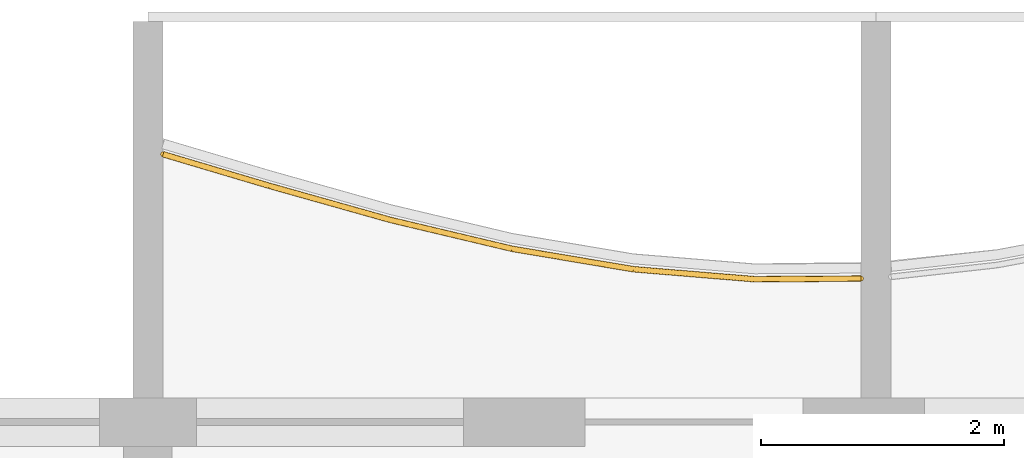
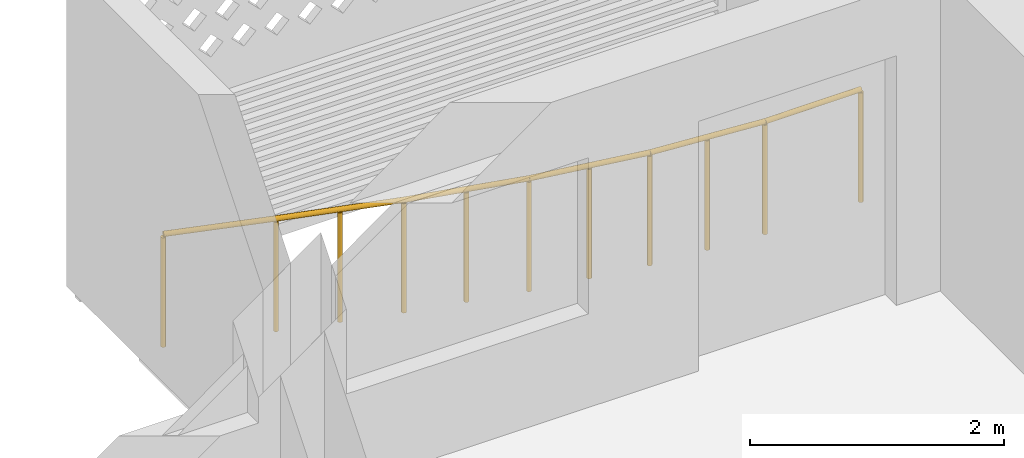
# One storey, part 35 of 38: 1 railing.
"""IFC4 building model written with IfcOpenShell, lengths in metres."""

from ifc_helpers import new_model, si_unit, direction, frame, origin, origin_2d, place, context, subcontext, project, spatial, circle, extrude, material, type_object, element, save


model = new_model("IFC4")

# Units and contexts
model_context = context("Model", 3, precision=1e-05, world=origin(), true_north=direction((0.0, 1.0)))
body_context = subcontext(model_context, "Body", "Model", "MODEL_VIEW")
ifc_project = project(units=[si_unit("LENGTHUNIT", "METRE"), si_unit("AREAUNIT", "SQUARE_METRE"), si_unit("VOLUMEUNIT", "CUBIC_METRE"), si_unit("PLANEANGLEUNIT", "RADIAN"), si_unit("MASSUNIT", "GRAM", prefix="KILO")], contexts=[model_context])

# Site, building, storey
site_placement = place(None, origin())
site = spatial("IfcSite", under=ifc_project, at=site_placement, CompositionType="ELEMENT")
building_placement = place(site_placement, origin())
building = spatial("IfcBuilding", under=site, at=building_placement, Name="Poui Terraces", CompositionType="ELEMENT")
storey_placement = place(building_placement, frame((0.0, 0.0, 43.199951171875)))
storey = spatial("IfcBuildingStorey", under=building, at=storey_placement, Name="L11", CompositionType="ELEMENT", Elevation=43.199951171875)

# Railing
ifc_material = material(Name="Painted steel fretwork", Category="steel")
railing_type = type_object("IfcRailingType", Name="BALCONY GUARD 1100", PredefinedType="GUARDRAIL", material=ifc_material)
railing_placement = place(storey_placement, frame((84.125, 47.006591796875, 0.0)))
element("IfcRailing", 1, at=railing_placement, inside=storey, type_object=railing_type, Name="BALCONY GUARD", PredefinedType="GUARDRAIL", context=body_context, shape_type="SweptSolid", body=[
    extrude(circle(Radius=0.02392578125, at=origin_2d()), frame((0.0, 0.0, 1.076171875), z_axis=(0.958573864065, -0.28484407512, 0.0), x_axis=(0.28484407512, 0.958573864065, 0.0)), (0.0, 0.0, 1.0), 0.912841796875),
    extrude(circle(Radius=0.02392578125, at=origin_2d()), frame((0.875, -0.260009765625, 1.076171875), z_axis=(0.962589664763, -0.270963350457, 0.0), x_axis=(0.270963350457, 0.962589664763, 0.0)), (0.0, 0.0, 1.0), 1.038818359375),
    extrude(circle(Radius=0.02392578125, at=origin_2d()), frame((1.875, -0.54150390625, 1.076171875), z_axis=(0.972979257535, -0.230892538653, 0.0), x_axis=(0.230892538653, 0.972979257535, 0.0)), (0.0, 0.0, 1.0), 1.02783203125),
    extrude(circle(Radius=0.02392578125, at=origin_2d()), frame((2.875, -0.77880859375, 1.076171875), z_axis=(0.986106132513, -0.166116511581, 0.0), x_axis=(0.166116511581, 0.986106132513, 0.0)), (0.0, 0.0, 1.0), 1.01416015625),
    extrude(circle(Radius=0.02392578125, at=origin_2d()), frame((3.875, -0.947265625, 1.076171875), z_axis=(0.99661255374, -0.082240000773, 0.0), x_axis=(0.082240000773, 0.99661255374, 0.0)), (0.0, 0.0, 1.0), 1.00341796875),
    extrude(circle(Radius=0.02392578125, at=origin_2d()), frame((4.875, -1.02978515625, 1.076171875), z_axis=(0.999982834304, 0.00585927442, 0.0), x_axis=(-0.00585927442, 0.999982834304, 0.0)), (0.0, 0.0, 1.0), 0.875),
    extrude(circle(Radius=0.02099609375, at=origin_2d()), origin(), (0.0, 0.0, 1.0), 1.052001953125),
    extrude(circle(Radius=0.02099609375, at=origin_2d()), frame((0.875, -0.260009765625, 0.0)), (0.0, 0.0, 1.0), 1.052001953125),
    extrude(circle(Radius=0.02099609375, at=origin_2d()), frame((1.375, -0.40087890625, 0.0)), (0.0, 0.0, 1.0), 1.052001953125),
    extrude(circle(Radius=0.02099609375, at=origin_2d()), frame((1.875, -0.54150390625, 0.0)), (0.0, 0.0, 1.0), 1.052001953125),
    extrude(circle(Radius=0.02099609375, at=origin_2d()), frame((2.375, -0.66015625, 0.0)), (0.0, 0.0, 1.0), 1.052001953125),
    extrude(circle(Radius=0.02099609375, at=origin_2d()), frame((2.875, -0.77880859375, 0.0)), (0.0, 0.0, 1.0), 1.052001953125),
    extrude(circle(Radius=0.02099609375, at=origin_2d()), frame((3.375, -0.863037109375, 0.0)), (0.0, 0.0, 1.0), 1.052001953125),
    extrude(circle(Radius=0.02099609375, at=origin_2d()), frame((3.875, -0.947265625, 0.0)), (0.0, 0.0, 1.0), 1.052001953125),
    extrude(circle(Radius=0.02099609375, at=origin_2d()), frame((4.375, -0.988525390625, 0.0)), (0.0, 0.0, 1.0), 1.052001953125),
    extrude(circle(Radius=0.02099609375, at=origin_2d()), frame((4.875, -1.02978515625, 0.0)), (0.0, 0.0, 1.0), 1.052001953125),
    extrude(circle(Radius=0.02099609375, at=origin_2d()), frame((5.75, -1.024658203125, 0.0)), (0.0, 0.0, 1.0), 1.052001953125),
])

save(model, "model.ifc")
